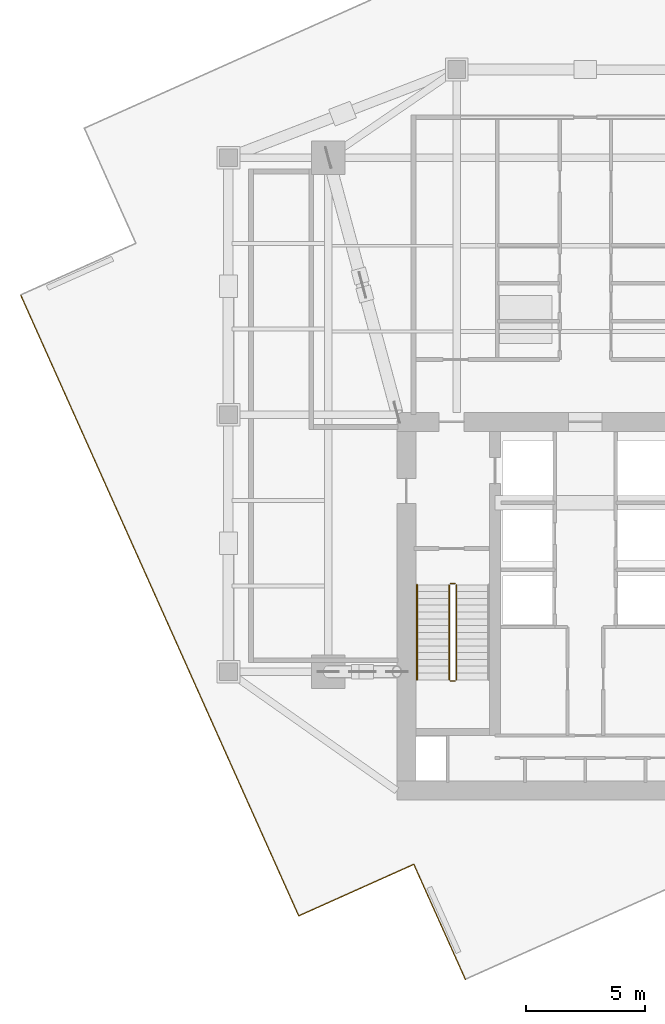
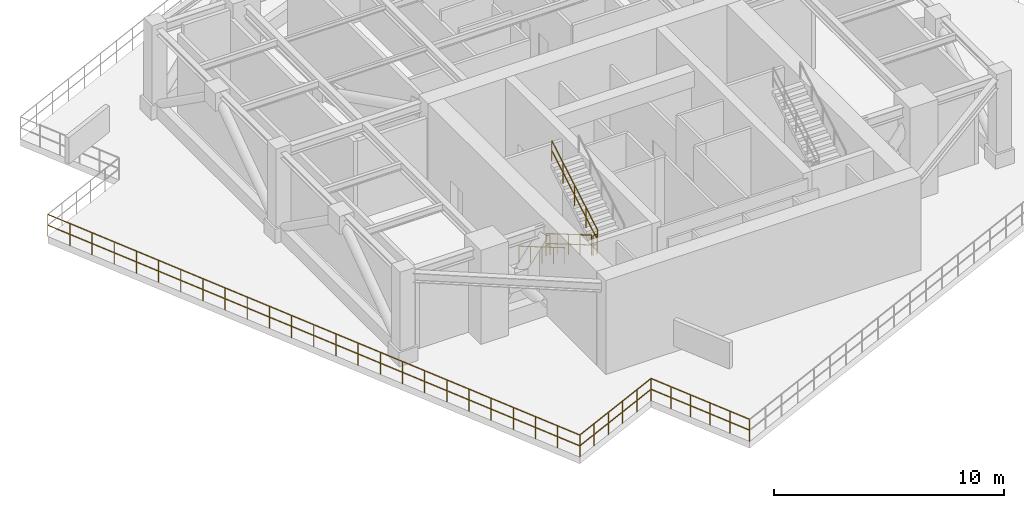
# One storey, part 6 of 8: 8 railings.
"""IFC4 building model written with IfcOpenShell, lengths in metres."""

from ifc_helpers import new_model, si_unit, direction, frame, origin, origin_2d, place, context, subcontext, project, spatial, circle, extrude, material, layer, layer_set, type_object, element, save


model = new_model("IFC4")

# Units and contexts
model_context = context("Model", 3, precision=1e-05, world=origin(), true_north=direction((0.0, 1.0)))
body_context = subcontext(model_context, "Body", "Model", "MODEL_VIEW")
ifc_project = project(units=[si_unit("LENGTHUNIT", "METRE"), si_unit("AREAUNIT", "SQUARE_METRE"), si_unit("VOLUMEUNIT", "CUBIC_METRE"), si_unit("PLANEANGLEUNIT", "RADIAN"), si_unit("MASSUNIT", "GRAM", prefix="KILO")], contexts=[model_context])

# Site, building, storey
site_placement = place(None, origin())
site = spatial("IfcSite", under=ifc_project, at=site_placement, CompositionType="ELEMENT")
building_placement = place(site_placement, origin())
building = spatial("IfcBuilding", under=site, at=building_placement, Name="Krantzveldt Concourse Tower", CompositionType="ELEMENT")
storey_placement = place(building_placement, frame((0.0, 0.0, 318.75)))
storey = spatial("IfcBuildingStorey", under=building, at=storey_placement, Name="L78", CompositionType="ELEMENT", Elevation=318.75)

# Railings
ifc_material = material(Name="Stainless steel 316L", Category="steel")
ifc_layer_1 = layer(ifc_material, 0.080078125, Name="Stainless steel 316L", Category="steel")
ifc_layer_set_1 = layer_set([ifc_layer_1], Name="Stainless steel 316L (RL-BALUSTRADE-1150)")
railing_type_1 = type_object("IfcRailingType", Name="RL-BALUSTRADE-1150", PredefinedType="BALUSTRADE", material=ifc_layer_set_1)
railing_1_placement = place(storey_placement, frame((12.26708984375, 31.739990234375, 0.0)))
element("IfcRailing", 1, at=railing_1_placement, inside=storey, type_object=railing_type_1, Name="GD-L78-WIND-05", PredefinedType="BALUSTRADE", context=body_context, shape_type="SweptSolid", body=[
    extrude(circle(Radius=0.02392578125, at=origin_2d()), frame((0.0, 0.0, 1.17578125), z_axis=(0.408729155271, -0.91265572788, 0.0), x_axis=(0.91265572788, 0.408729155271, 0.0)), (0.0, 0.0, 1.0), 28.60009765625),
    extrude(circle(Radius=0.02392578125, at=origin_2d()), frame((0.0, 0.0, 0.60009765625), z_axis=(0.408729155271, -0.91265572788, 0.0), x_axis=(0.91265572788, 0.408729155271, 0.0)), (0.0, 0.0, 1.0), 28.60009765625),
    extrude(circle(Radius=0.02099609375, at=origin_2d()), origin(), (0.0, 0.0, 1.0), 1.15185546875),
    extrude(circle(Radius=0.02099609375, at=origin_2d()), frame((0.487060546875, -1.087646484375, 0.0)), (0.0, 0.0, 1.0), 1.15185546875),
    extrude(circle(Radius=0.02099609375, at=origin_2d()), frame((0.97412109375, -2.17529296875, 0.0)), (0.0, 0.0, 1.0), 1.15185546875),
    extrude(circle(Radius=0.02099609375, at=origin_2d()), frame((1.461181640625, -3.2626953125, 0.0)), (0.0, 0.0, 1.0), 1.15185546875),
    extrude(circle(Radius=0.02099609375, at=origin_2d()), frame((1.9482421875, -4.350341796875, 0.0)), (0.0, 0.0, 1.0), 1.15185546875),
    extrude(circle(Radius=0.02099609375, at=origin_2d()), frame((2.435302734375, -5.43798828125, 0.0)), (0.0, 0.0, 1.0), 1.15185546875),
    extrude(circle(Radius=0.02099609375, at=origin_2d()), frame((2.92236328125, -6.525390625, 0.0)), (0.0, 0.0, 1.0), 1.15185546875),
    extrude(circle(Radius=0.02099609375, at=origin_2d()), frame((3.409423828125, -7.613037109375, 0.0)), (0.0, 0.0, 1.0), 1.15185546875),
    extrude(circle(Radius=0.02099609375, at=origin_2d()), frame((3.896484375, -8.70068359375, 0.0)), (0.0, 0.0, 1.0), 1.15185546875),
    extrude(circle(Radius=0.02099609375, at=origin_2d()), frame((4.383544921875, -9.788330078125, 0.0)), (0.0, 0.0, 1.0), 1.15185546875),
    extrude(circle(Radius=0.02099609375, at=origin_2d()), frame((4.87060546875, -10.8759765625, 0.0)), (0.0, 0.0, 1.0), 1.15185546875),
    extrude(circle(Radius=0.02099609375, at=origin_2d()), frame((5.357666015625, -11.96337890625, 0.0)), (0.0, 0.0, 1.0), 1.15185546875),
    extrude(circle(Radius=0.02099609375, at=origin_2d()), frame((5.8447265625, -13.051025390625, 0.0)), (0.0, 0.0, 1.0), 1.15185546875),
    extrude(circle(Radius=0.02099609375, at=origin_2d()), frame((6.33203125, -14.138671875, 0.0)), (0.0, 0.0, 1.0), 1.15185546875),
    extrude(circle(Radius=0.02099609375, at=origin_2d()), frame((6.819091796875, -15.226318359375, 0.0)), (0.0, 0.0, 1.0), 1.15185546875),
    extrude(circle(Radius=0.02099609375, at=origin_2d()), frame((7.30615234375, -16.313720703125, 0.0)), (0.0, 0.0, 1.0), 1.15185546875),
    extrude(circle(Radius=0.02099609375, at=origin_2d()), frame((7.793212890625, -17.4013671875, 0.0)), (0.0, 0.0, 1.0), 1.15185546875),
    extrude(circle(Radius=0.02099609375, at=origin_2d()), frame((8.2802734375, -18.489013671875, 0.0)), (0.0, 0.0, 1.0), 1.15185546875),
    extrude(circle(Radius=0.02099609375, at=origin_2d()), frame((8.767333984375, -19.57666015625, 0.0)), (0.0, 0.0, 1.0), 1.15185546875),
    extrude(circle(Radius=0.02099609375, at=origin_2d()), frame((9.25439453125, -20.6640625, 0.0)), (0.0, 0.0, 1.0), 1.15185546875),
    extrude(circle(Radius=0.02099609375, at=origin_2d()), frame((9.741455078125, -21.751708984375, 0.0)), (0.0, 0.0, 1.0), 1.15185546875),
    extrude(circle(Radius=0.02099609375, at=origin_2d()), frame((10.228515625, -22.83935546875, 0.0)), (0.0, 0.0, 1.0), 1.15185546875),
    extrude(circle(Radius=0.02099609375, at=origin_2d()), frame((10.715576171875, -23.9267578125, 0.0)), (0.0, 0.0, 1.0), 1.15185546875),
    extrude(circle(Radius=0.02099609375, at=origin_2d()), frame((11.20263671875, -25.014404296875, 0.0)), (0.0, 0.0, 1.0), 1.15185546875),
    extrude(circle(Radius=0.02099609375, at=origin_2d()), frame((11.689697265625, -26.10205078125, 0.0)), (0.0, 0.0, 1.0), 1.15185546875),
])
railing_2_placement = place(storey_placement, frame((23.956787109375, 5.637939453125, 0.0)))
element("IfcRailing", 2, at=railing_2_placement, inside=storey, type_object=railing_type_1, Name="GD-L78-WIND-06", PredefinedType="BALUSTRADE", context=body_context, shape_type="SweptSolid", body=[
    extrude(circle(Radius=0.02392578125, at=origin_2d()), frame((0.0, 0.0, 1.17578125), z_axis=(0.912658673989, 0.408722576808, 0.0), x_axis=(-0.408722576808, 0.912658673989, 0.0)), (0.0, 0.0, 1.0), 5.300048828125),
    extrude(circle(Radius=0.02392578125, at=origin_2d()), frame((0.0, 0.0, 0.60009765625), z_axis=(0.912658673989, 0.408722576808, 0.0), x_axis=(-0.408722576808, 0.912658673989, 0.0)), (0.0, 0.0, 1.0), 5.300048828125),
    extrude(circle(Radius=0.02099609375, at=origin_2d()), origin(), (0.0, 0.0, 1.0), 1.15185546875),
    extrude(circle(Radius=0.02099609375, at=origin_2d()), frame((0.967529296875, 0.433349609375, 0.0)), (0.0, 0.0, 1.0), 1.15185546875),
    extrude(circle(Radius=0.02099609375, at=origin_2d()), frame((1.934814453125, 0.866455078125, 0.0)), (0.0, 0.0, 1.0), 1.15185546875),
    extrude(circle(Radius=0.02099609375, at=origin_2d()), frame((2.90234375, 1.2998046875, 0.0)), (0.0, 0.0, 1.0), 1.15185546875),
    extrude(circle(Radius=0.02099609375, at=origin_2d()), frame((3.86962890625, 1.73291015625, 0.0)), (0.0, 0.0, 1.0), 1.15185546875),
    extrude(circle(Radius=0.02099609375, at=origin_2d()), frame((4.837158203125, 2.166259765625, 0.0)), (0.0, 0.0, 1.0), 1.15185546875),
])
railing_3_placement = place(storey_placement, frame((28.7939453125, 7.80419921875, 0.0)))
element("IfcRailing", 3, at=railing_3_placement, inside=storey, type_object=railing_type_1, Name="GD-L78-WIND-07", PredefinedType="BALUSTRADE", context=body_context, shape_type="SweptSolid", body=[
    extrude(circle(Radius=0.02392578125, at=origin_2d()), frame((0.0, 0.0, 1.17578125), z_axis=(0.408722576808, -0.912658673989, 0.0), x_axis=(0.912658673989, 0.408722576808, 0.0)), (0.0, 0.0, 1.0), 5.300048828125),
    extrude(circle(Radius=0.02392578125, at=origin_2d()), frame((0.0, 0.0, 0.60009765625), z_axis=(0.408722576808, -0.912658673989, 0.0), x_axis=(0.912658673989, 0.408722576808, 0.0)), (0.0, 0.0, 1.0), 5.300048828125),
    extrude(circle(Radius=0.02099609375, at=origin_2d()), origin(), (0.0, 0.0, 1.0), 1.15185546875),
    extrude(circle(Radius=0.02099609375, at=origin_2d()), frame((0.433349609375, -0.967529296875, 0.0)), (0.0, 0.0, 1.0), 1.15185546875),
    extrude(circle(Radius=0.02099609375, at=origin_2d()), frame((0.866455078125, -1.934814453125, 0.0)), (0.0, 0.0, 1.0), 1.15185546875),
    extrude(circle(Radius=0.02099609375, at=origin_2d()), frame((1.2998046875, -2.90234375, 0.0)), (0.0, 0.0, 1.0), 1.15185546875),
    extrude(circle(Radius=0.02099609375, at=origin_2d()), frame((1.73291015625, -3.86962890625, 0.0)), (0.0, 0.0, 1.0), 1.15185546875),
    extrude(circle(Radius=0.02099609375, at=origin_2d()), frame((2.166259765625, -4.837158203125, 0.0)), (0.0, 0.0, 1.0), 1.15185546875),
])
ifc_layer_2 = layer(ifc_material, 0.06005859375, Name="Stainless steel 316L", Category="steel")
ifc_layer_set_2 = layer_set([ifc_layer_2], Name="Stainless steel 316L (RL-GUARD-1120)")
railing_type_2 = type_object("IfcRailingType", Name="RL-GUARD-1120", PredefinedType="GUARDRAIL", material=ifc_layer_set_2)
railing_4_placement = place(storey_placement, frame((30.280029296875, 19.550048828125, 0.166748046875)))
element("IfcRailing", 4, at=railing_4_placement, inside=storey, type_object=railing_type_2, Name="L78 ST-1 stair guard 1", PredefinedType="GUARDRAIL", context=body_context, shape_type="SweptSolid", body=[
    extrude(circle(Radius=0.02392578125, at=origin_2d()), frame((0.0, 0.0, 1.076171875), z_axis=(0.0, -0.863236243904, 0.504800145811), x_axis=(1.0, 0.0, 0.0)), (0.0, 0.0, 1.0), 4.6220703125),
    extrude(circle(Radius=0.02392578125, at=origin_2d()), frame((0.0, 0.0, 0.550048828125), z_axis=(0.0, -0.863236243904, 0.504800145811), x_axis=(1.0, 0.0, 0.0)), (0.0, 0.0, 1.0), 4.6220703125),
    extrude(circle(Radius=0.02099609375, at=origin_2d()), origin(), (0.0, 0.0, 1.0), 1.052001953125),
    extrude(circle(Radius=0.02099609375, at=origin_2d()), frame((0.0, -0.99755859375, 0.583251953125)), (0.0, 0.0, 1.0), 1.052001953125),
    extrude(circle(Radius=0.02099609375, at=origin_2d()), frame((0.0, -1.9951171875, 1.16650390625)), (0.0, 0.0, 1.0), 1.052001953125),
    extrude(circle(Radius=0.02099609375, at=origin_2d()), frame((0.0, -2.992431640625, 1.75)), (0.0, 0.0, 1.0), 1.052001953125),
    extrude(circle(Radius=0.02099609375, at=origin_2d()), frame((0.0, -3.989990234375, 2.333251953125)), (0.0, 0.0, 1.0), 1.052001953125),
])
railing_5_placement = place(storey_placement, frame((30.330078125, 15.510009765625, 2.5)))
element("IfcRailing", 5, at=railing_5_placement, inside=storey, type_object=railing_type_2, Name="L78 ST-1 stair guard 2", PredefinedType="GUARDRAIL", context=body_context, shape_type="SweptSolid", body=[
    extrude(circle(Radius=0.02392578125, at=origin_2d()), frame((0.0, 0.0, 1.076171875), z_axis=(1.0, 0.0, 0.0), x_axis=(0.0, 1.0, 0.0)), (0.0, 0.0, 1.0), 0.199951171875),
    extrude(circle(Radius=0.02392578125, at=origin_2d()), frame((0.0, 0.0, 0.550048828125), z_axis=(1.0, 0.0, 0.0), x_axis=(0.0, 1.0, 0.0)), (0.0, 0.0, 1.0), 0.199951171875),
    extrude(circle(Radius=0.02099609375, at=origin_2d()), origin(), (0.0, 0.0, 1.0), 1.052001953125),
    extrude(circle(Radius=0.02099609375, at=origin_2d()), frame((0.199951171875, 0.0, 0.0)), (0.0, 0.0, 1.0), 1.052001953125),
])
railing_6_placement = place(storey_placement, frame((30.580078125, 15.56005859375, 2.666748046875)))
element("IfcRailing", 6, at=railing_6_placement, inside=storey, type_object=railing_type_2, Name="L78 ST-1 stair guard 3", PredefinedType="GUARDRAIL", context=body_context, shape_type="SweptSolid", body=[
    extrude(circle(Radius=0.02392578125, at=origin_2d()), frame((0.0, 0.0, 1.076171875), z_axis=(0.0, 0.863236243904, 0.504800145811), x_axis=(-1.0, 0.0, 0.0)), (0.0, 0.0, 1.0), 4.6220703125),
    extrude(circle(Radius=0.02392578125, at=origin_2d()), frame((0.0, 0.0, 0.550048828125), z_axis=(0.0, 0.863236243904, 0.504800145811), x_axis=(-1.0, 0.0, 0.0)), (0.0, 0.0, 1.0), 4.6220703125),
    extrude(circle(Radius=0.02099609375, at=origin_2d()), origin(), (0.0, 0.0, 1.0), 1.052001953125),
    extrude(circle(Radius=0.02099609375, at=origin_2d()), frame((0.0, 0.99755859375, 0.583251953125)), (0.0, 0.0, 1.0), 1.052001953125),
    extrude(circle(Radius=0.02099609375, at=origin_2d()), frame((0.0, 1.9951171875, 1.16650390625)), (0.0, 0.0, 1.0), 1.052001953125),
    extrude(circle(Radius=0.02099609375, at=origin_2d()), frame((0.0, 2.992431640625, 1.75)), (0.0, 0.0, 1.0), 1.052001953125),
    extrude(circle(Radius=0.02099609375, at=origin_2d()), frame((0.0, 3.989990234375, 2.333251953125)), (0.0, 0.0, 1.0), 1.052001953125),
])
railing_7_placement = place(storey_placement, frame((30.330078125, 19.60009765625, 0.0)))
element("IfcRailing", 7, at=railing_7_placement, inside=storey, type_object=railing_type_2, Name="L78 ST-1 stair guard 4", PredefinedType="GUARDRAIL", context=body_context, shape_type="SweptSolid", body=[
    extrude(circle(Radius=0.02392578125, at=origin_2d()), frame((0.0, 0.0, 1.076171875), z_axis=(1.0, 0.0, 0.0), x_axis=(0.0, 1.0, 0.0)), (0.0, 0.0, 1.0), 0.199951171875),
    extrude(circle(Radius=0.02392578125, at=origin_2d()), frame((0.0, 0.0, 0.550048828125), z_axis=(1.0, 0.0, 0.0), x_axis=(0.0, 1.0, 0.0)), (0.0, 0.0, 1.0), 0.199951171875),
    extrude(circle(Radius=0.02099609375, at=origin_2d()), origin(), (0.0, 0.0, 1.0), 1.052001953125),
    extrude(circle(Radius=0.02099609375, at=origin_2d()), frame((0.199951171875, 0.0, 0.0)), (0.0, 0.0, 1.0), 1.052001953125),
])
ifc_layer_3 = layer(ifc_material, 0.050048828125, Name="Stainless steel 316L", Category="steel")
ifc_layer_set_3 = layer_set([ifc_layer_3], Name="Stainless steel 316L (RL-HANDRAIL-920)")
railing_type_3 = type_object("IfcRailingType", Name="RL-HANDRAIL-920", PredefinedType="HANDRAIL", material=ifc_layer_set_3)
railing_8_placement = place(storey_placement, frame((28.929931640625, 19.550048828125, 0.166748046875)))
element("IfcRailing", 8, at=railing_8_placement, inside=storey, type_object=railing_type_3, Name="L78 ST-1 stair handrail 1", PredefinedType="HANDRAIL", context=body_context, shape_type="SweptSolid", body=[
    extrude(circle(Radius=0.02392578125, at=origin_2d()), frame((0.0, 0.0, 0.8759765625), z_axis=(0.0, -0.863236243904, 0.504800145811), x_axis=(1.0, 0.0, 0.0)), (0.0, 0.0, 1.0), 4.6220703125),
    extrude(circle(Radius=0.02099609375, at=origin_2d()), origin(), (0.0, 0.0, 1.0), 0.851806640625),
    extrude(circle(Radius=0.02099609375, at=origin_2d()), frame((0.0, -0.99755859375, 0.583251953125)), (0.0, 0.0, 1.0), 0.851806640625),
    extrude(circle(Radius=0.02099609375, at=origin_2d()), frame((0.0, -1.9951171875, 1.16650390625)), (0.0, 0.0, 1.0), 0.851806640625),
    extrude(circle(Radius=0.02099609375, at=origin_2d()), frame((0.0, -2.992431640625, 1.75)), (0.0, 0.0, 1.0), 0.851806640625),
    extrude(circle(Radius=0.02099609375, at=origin_2d()), frame((0.0, -3.989990234375, 2.333251953125)), (0.0, 0.0, 1.0), 0.851806640625),
])

save(model, "model.ifc")
